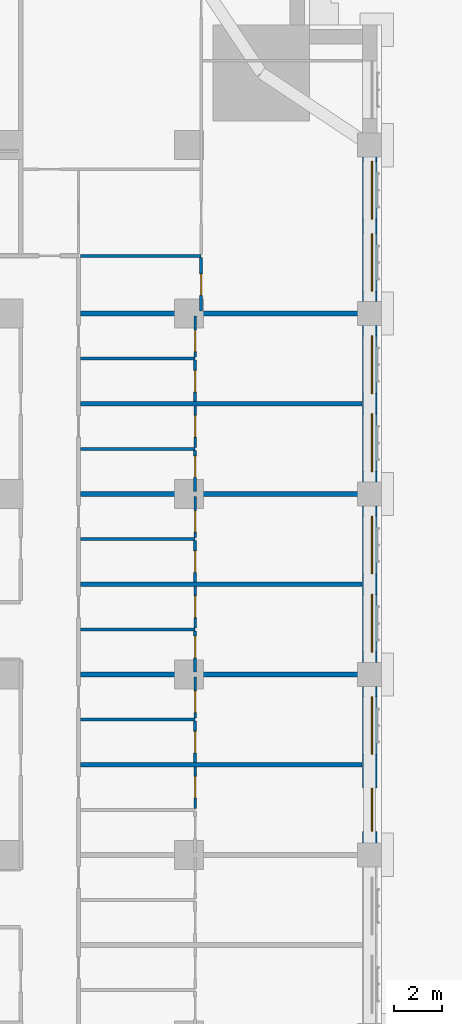
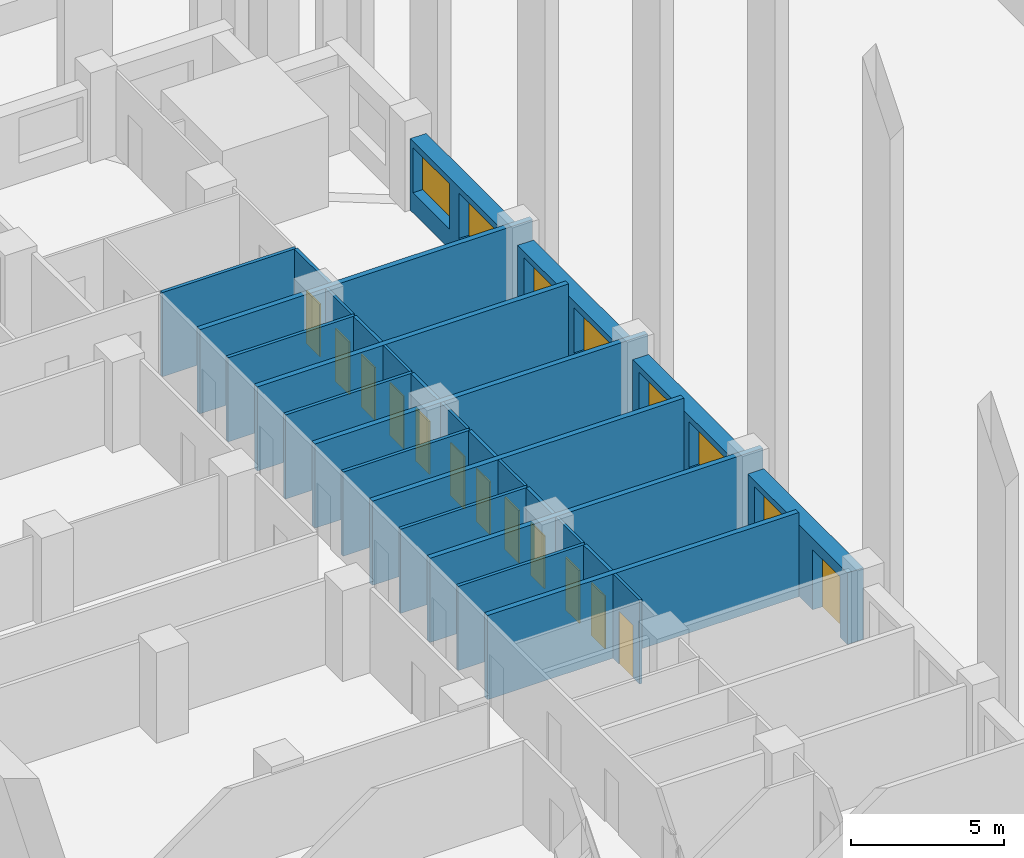
# One storey, part 17 of 27: 28 walls, 13 doors, 7 windows, 20 openings.
"""IFC4 building model written with IfcOpenShell, lengths in metres."""

from ifc_helpers import new_model, si_unit, direction, frame, frame_2d, origin, place, context, subcontext, project, spatial, rectangle, extrude, material, layer, layer_set, type_object, element, fill, save


model = new_model("IFC4")

# Units and contexts
model_context = context("Model", 3, precision=1e-05, world=origin(), true_north=direction((0.0, 1.0)))
body_context = subcontext(model_context, "Body", "Model", "MODEL_VIEW")
ifc_project = project(units=[si_unit("LENGTHUNIT", "METRE"), si_unit("AREAUNIT", "SQUARE_METRE"), si_unit("VOLUMEUNIT", "CUBIC_METRE"), si_unit("PLANEANGLEUNIT", "RADIAN"), si_unit("MASSUNIT", "GRAM", prefix="KILO")], contexts=[model_context])

# Site, building, storey
site_placement = place(None, origin())
site = spatial("IfcSite", under=ifc_project, at=site_placement, CompositionType="ELEMENT")
building_placement = place(site_placement, origin())
building = spatial("IfcBuilding", under=site, at=building_placement, Name="Tamorin Gate", CompositionType="ELEMENT")
storey_placement = place(building_placement, frame((0.0, 0.0, 34.0)))
storey = spatial("IfcBuildingStorey", under=building, at=storey_placement, Name="L06", CompositionType="ELEMENT", Elevation=34.0)

# Wall, openings, window, door
ifc_material_1 = material(Name="Precast concrete C40/50", Category="concrete")
ifc_layer_1 = layer(ifc_material_1, 0.60009765625)
ifc_layer_set_1 = layer_set([ifc_layer_1], Name="Precast concrete C40/50")
wall_type_1 = type_object("IfcWallType", Name="Board-marked concrete facade panel 600", PredefinedType="SOLIDWALL", material=ifc_layer_set_1)
wall_1_placement = place(storey_placement, frame((89.5, 68.0, 0.0), z_axis=(0.0, 0.0, 1.0), x_axis=(0.0, 1.0, 0.0)))
wall_1 = element("IfcWall", 1, at=wall_1_placement, inside=storey, type_object=wall_type_1, Name="Facade panel", PredefinedType="SOLIDWALL", context=body_context, shape_type="SweptSolid", body=[
    extrude(rectangle(XDim=6.5, YDim=0.60009765625, at=frame_2d((3.25, 0.0))), origin(), (0.0, 0.0, 1.0), 2.85009765625),
])
opening_1_placement = place(wall_1_placement, frame((0.47509765625, 0.0, 0.0)))
opening_1 = element("IfcOpeningElement", 2, at=opening_1_placement, cuts=wall_1, Name="Opening DX1", PredefinedType="OPENING", context=body_context, shape_type="SweptSolid", body=[
    extrude(rectangle(XDim=1.800048828125, YDim=2.39990234375, at=frame_2d((0.89990234375, 1.199951171875))), frame((0.0, 0.31005859375, 0.0), z_axis=(0.0, -1.0, 0.0), x_axis=(1.0, 0.0, 0.0)), (0.0, 0.0, 1.0), 0.6201171875),
])
opening_2_placement = place(wall_1_placement, frame((3.675048828125, 0.0, 0.800048828125)))
opening_2 = element("IfcOpeningElement", 3, at=opening_2_placement, cuts=wall_1, Name="Opening WN1", PredefinedType="OPENING", context=body_context, shape_type="SweptSolid", body=[
    extrude(rectangle(XDim=2.39990234375, YDim=1.800048828125, at=frame_2d((1.199951171875, 0.89990234375))), frame((0.0, 0.31005859375, 0.0), z_axis=(0.0, -1.0, 0.0), x_axis=(1.0, 0.0, 0.0)), (0.0, 0.0, 1.0), 0.6201171875),
])
ifc_material_2 = material(Name="Clear glass in aluminium frame", Category="aluminium")
window_type = type_object("IfcWindowType", Name="Deep-set window 2400x1800", PartitioningType="SINGLE_PANEL", PredefinedType="WINDOW", material=ifc_material_2)
window_1_placement = place(opening_2_placement, origin())
window_1 = element("IfcWindow", 4, at=window_1_placement, inside=storey, type_object=window_type, Name="Deep-set window", OverallHeight=1.800048828125, OverallWidth=2.39990234375, PartitioningType="SINGLE_PANEL", PredefinedType="WINDOW", context=body_context, shape_type="SweptSolid", body=[
    extrude(rectangle(XDim=2.39990234375, YDim=1.800048828125, at=frame_2d((1.199951171875, 0.89990234375))), frame((0.0, -0.070068359375, 0.0), z_axis=(0.0, -1.0, 0.0), x_axis=(1.0, 0.0, 0.0)), (0.0, 0.0, 1.0), 0.06005859375),
])
fill(opening_2, window_1)
door_type_1 = type_object("IfcDoorType", Name="Terrace door 1800x2400", OperationType="DOUBLE_DOOR_SINGLE_SWING", PredefinedType="DOOR", material=ifc_material_2)
door_1_placement = place(opening_1_placement, origin())
door_1 = element("IfcDoor", 5, at=door_1_placement, inside=storey, type_object=door_type_1, Name="Terrace door", OperationType="SINGLE_SWING_LEFT", OverallHeight=2.39990234375, OverallWidth=1.800048828125, PredefinedType="DOOR", context=body_context, shape_type="SweptSolid", body=[
    extrude(rectangle(XDim=1.800048828125, YDim=2.39990234375, at=frame_2d((0.89990234375, 1.199951171875))), frame((0.0, -0.0751953125, 0.0), z_axis=(0.0, -1.0, 0.0), x_axis=(1.0, 0.0, 0.0)), (0.0, 0.0, 1.0), 0.050048828125),
])
fill(opening_1, door_1)

# Wall, openings, windows
wall_2_placement = place(storey_placement, frame((89.5, 75.5, 0.0), z_axis=(0.0, 0.0, 1.0), x_axis=(0.0, 1.0, 0.0)))
wall_2 = element("IfcWall", 6, at=wall_2_placement, inside=storey, type_object=wall_type_1, Name="Facade panel", PredefinedType="SOLIDWALL", context=body_context, shape_type="SweptSolid", body=[
    extrude(rectangle(XDim=6.5, YDim=0.60009765625, at=frame_2d((3.25, 0.0))), origin(), (0.0, 0.0, 1.0), 2.85009765625),
])
opening_3_placement = place(wall_2_placement, frame((0.425048828125, 0.0, 0.800048828125)))
opening_3 = element("IfcOpeningElement", 7, at=opening_3_placement, cuts=wall_2, Name="Opening WN1", PredefinedType="OPENING", context=body_context, shape_type="SweptSolid", body=[
    extrude(rectangle(XDim=2.39990234375, YDim=1.800048828125, at=frame_2d((1.199951171875, 0.89990234375))), frame((0.0, 0.31005859375, 0.0), z_axis=(0.0, -1.0, 0.0), x_axis=(1.0, 0.0, 0.0)), (0.0, 0.0, 1.0), 0.6201171875),
])
opening_4_placement = place(wall_2_placement, frame((3.675048828125, 0.0, 0.800048828125)))
opening_4 = element("IfcOpeningElement", 8, at=opening_4_placement, cuts=wall_2, Name="Opening WN1", PredefinedType="OPENING", context=body_context, shape_type="SweptSolid", body=[
    extrude(rectangle(XDim=2.39990234375, YDim=1.800048828125, at=frame_2d((1.199951171875, 0.89990234375))), frame((0.0, 0.31005859375, 0.0), z_axis=(0.0, -1.0, 0.0), x_axis=(1.0, 0.0, 0.0)), (0.0, 0.0, 1.0), 0.6201171875),
])
window_2_placement = place(opening_3_placement, origin())
window_2 = element("IfcWindow", 9, at=window_2_placement, inside=storey, type_object=window_type, Name="Deep-set window", OverallHeight=1.800048828125, OverallWidth=2.39990234375, PartitioningType="SINGLE_PANEL", PredefinedType="WINDOW", context=body_context, shape_type="SweptSolid", body=[
    extrude(rectangle(XDim=2.39990234375, YDim=1.800048828125, at=frame_2d((1.199951171875, 0.89990234375))), frame((0.0, -0.070068359375, 0.0), z_axis=(0.0, -1.0, 0.0), x_axis=(1.0, 0.0, 0.0)), (0.0, 0.0, 1.0), 0.06005859375),
])
fill(opening_3, window_2)
window_3_placement = place(opening_4_placement, origin())
window_3 = element("IfcWindow", 10, at=window_3_placement, inside=storey, type_object=window_type, Name="Deep-set window", OverallHeight=1.800048828125, OverallWidth=2.39990234375, PartitioningType="SINGLE_PANEL", PredefinedType="WINDOW", context=body_context, shape_type="SweptSolid", body=[
    extrude(rectangle(XDim=2.39990234375, YDim=1.800048828125, at=frame_2d((1.199951171875, 0.89990234375))), frame((0.0, -0.070068359375, 0.0), z_axis=(0.0, -1.0, 0.0), x_axis=(1.0, 0.0, 0.0)), (0.0, 0.0, 1.0), 0.06005859375),
])
fill(opening_4, window_3)

wall_3_placement = place(storey_placement, frame((89.5, 83.0, 0.0), z_axis=(0.0, 0.0, 1.0), x_axis=(0.0, 1.0, 0.0)))
wall_3 = element("IfcWall", 11, at=wall_3_placement, inside=storey, type_object=wall_type_1, Name="Facade panel", PredefinedType="SOLIDWALL", context=body_context, shape_type="SweptSolid", body=[
    extrude(rectangle(XDim=6.5, YDim=0.60009765625, at=frame_2d((3.25, 0.0))), origin(), (0.0, 0.0, 1.0), 2.85009765625),
])
opening_5_placement = place(wall_3_placement, frame((0.425048828125, 0.0, 0.800048828125)))
opening_5 = element("IfcOpeningElement", 12, at=opening_5_placement, cuts=wall_3, Name="Opening WN1", PredefinedType="OPENING", context=body_context, shape_type="SweptSolid", body=[
    extrude(rectangle(XDim=2.39990234375, YDim=1.800048828125, at=frame_2d((1.199951171875, 0.89990234375))), frame((0.0, 0.31005859375, 0.0), z_axis=(0.0, -1.0, 0.0), x_axis=(1.0, 0.0, 0.0)), (0.0, 0.0, 1.0), 0.6201171875),
])
opening_6_placement = place(wall_3_placement, frame((3.675048828125, 0.0, 0.800048828125)))
opening_6 = element("IfcOpeningElement", 13, at=opening_6_placement, cuts=wall_3, Name="Opening WN1", PredefinedType="OPENING", context=body_context, shape_type="SweptSolid", body=[
    extrude(rectangle(XDim=2.39990234375, YDim=1.800048828125, at=frame_2d((1.199951171875, 0.89990234375))), frame((0.0, 0.31005859375, 0.0), z_axis=(0.0, -1.0, 0.0), x_axis=(1.0, 0.0, 0.0)), (0.0, 0.0, 1.0), 0.6201171875),
])
window_4_placement = place(opening_5_placement, origin())
window_4 = element("IfcWindow", 14, at=window_4_placement, inside=storey, type_object=window_type, Name="Deep-set window", OverallHeight=1.800048828125, OverallWidth=2.39990234375, PartitioningType="SINGLE_PANEL", PredefinedType="WINDOW", context=body_context, shape_type="SweptSolid", body=[
    extrude(rectangle(XDim=2.39990234375, YDim=1.800048828125, at=frame_2d((1.199951171875, 0.89990234375))), frame((0.0, -0.070068359375, 0.0), z_axis=(0.0, -1.0, 0.0), x_axis=(1.0, 0.0, 0.0)), (0.0, 0.0, 1.0), 0.06005859375),
])
fill(opening_5, window_4)
window_5_placement = place(opening_6_placement, origin())
window_5 = element("IfcWindow", 15, at=window_5_placement, inside=storey, type_object=window_type, Name="Deep-set window", OverallHeight=1.800048828125, OverallWidth=2.39990234375, PartitioningType="SINGLE_PANEL", PredefinedType="WINDOW", context=body_context, shape_type="SweptSolid", body=[
    extrude(rectangle(XDim=2.39990234375, YDim=1.800048828125, at=frame_2d((1.199951171875, 0.89990234375))), frame((0.0, -0.070068359375, 0.0), z_axis=(0.0, -1.0, 0.0), x_axis=(1.0, 0.0, 0.0)), (0.0, 0.0, 1.0), 0.06005859375),
])
fill(opening_6, window_5)

wall_4_placement = place(storey_placement, frame((89.5, 90.5, 0.0), z_axis=(0.0, 0.0, 1.0), x_axis=(0.0, 1.0, 0.0)))
wall_4 = element("IfcWall", 16, at=wall_4_placement, inside=storey, type_object=wall_type_1, Name="Facade panel", PredefinedType="SOLIDWALL", context=body_context, shape_type="SweptSolid", body=[
    extrude(rectangle(XDim=6.0, YDim=0.60009765625, at=frame_2d((3.0, 0.0))), origin(), (0.0, 0.0, 1.0), 2.85009765625),
])
opening_7_placement = place(wall_4_placement, frame((0.425048828125, 0.0, 0.800048828125)))
opening_7 = element("IfcOpeningElement", 17, at=opening_7_placement, cuts=wall_4, Name="Opening WN1", PredefinedType="OPENING", context=body_context, shape_type="SweptSolid", body=[
    extrude(rectangle(XDim=2.39990234375, YDim=1.800048828125, at=frame_2d((1.199951171875, 0.89990234375))), frame((0.0, 0.31005859375, 0.0), z_axis=(0.0, -1.0, 0.0), x_axis=(1.0, 0.0, 0.0)), (0.0, 0.0, 1.0), 0.6201171875),
])
opening_8_placement = place(wall_4_placement, frame((3.425048828125, 0.0, 0.800048828125)))
opening_8 = element("IfcOpeningElement", 18, at=opening_8_placement, cuts=wall_4, Name="Opening WN1", PredefinedType="OPENING", context=body_context, shape_type="SweptSolid", body=[
    extrude(rectangle(XDim=2.39990234375, YDim=1.800048828125, at=frame_2d((1.199951171875, 0.89990234375))), frame((0.0, 0.31005859375, 0.0), z_axis=(0.0, -1.0, 0.0), x_axis=(1.0, 0.0, 0.0)), (0.0, 0.0, 1.0), 0.6201171875),
])
window_6_placement = place(opening_7_placement, origin())
window_6 = element("IfcWindow", 19, at=window_6_placement, inside=storey, type_object=window_type, Name="Deep-set window", OverallHeight=1.800048828125, OverallWidth=2.39990234375, PartitioningType="SINGLE_PANEL", PredefinedType="WINDOW", context=body_context, shape_type="SweptSolid", body=[
    extrude(rectangle(XDim=2.39990234375, YDim=1.800048828125, at=frame_2d((1.199951171875, 0.89990234375))), frame((0.0, -0.070068359375, 0.0), z_axis=(0.0, -1.0, 0.0), x_axis=(1.0, 0.0, 0.0)), (0.0, 0.0, 1.0), 0.06005859375),
])
fill(opening_7, window_6)
window_7_placement = place(opening_8_placement, origin())
window_7 = element("IfcWindow", 20, at=window_7_placement, inside=storey, type_object=window_type, Name="Deep-set window", OverallHeight=1.800048828125, OverallWidth=2.39990234375, PartitioningType="SINGLE_PANEL", PredefinedType="WINDOW", context=body_context, shape_type="SweptSolid", body=[
    extrude(rectangle(XDim=2.39990234375, YDim=1.800048828125, at=frame_2d((1.199951171875, 0.89990234375))), frame((0.0, -0.070068359375, 0.0), z_axis=(0.0, -1.0, 0.0), x_axis=(1.0, 0.0, 0.0)), (0.0, 0.0, 1.0), 0.06005859375),
])
fill(opening_8, window_7)

# Walls
ifc_material_3 = material(Name="Gypsum board partition")
ifc_layer_2 = layer(ifc_material_3, 0.199951171875)
ifc_layer_set_2 = layer_set([ifc_layer_2], Name="Demising wall 200")
wall_type_2 = type_object("IfcWallType", Name="Demising wall 200", PredefinedType="PARTITIONING", material=ifc_layer_set_2)
wall_5_placement = place(storey_placement, frame((77.47509765625, 71.25, 0.0), z_axis=(0.0, 0.0, 1.0), x_axis=(1.0, 0.0, 0.0)))
element("IfcWall", 21, at=wall_5_placement, inside=storey, type_object=wall_type_2, Name="Demising wall 200", PredefinedType="PARTITIONING", context=body_context, shape_type="SweptSolid", body=[
    extrude(rectangle(XDim=11.71484375, YDim=0.199951171875, at=frame_2d((5.857421875, 0.0))), origin(), (0.0, 0.0, 1.0), 3.35009765625),
])
wall_6_placement = place(storey_placement, frame((77.47509765625, 75.0, 0.0), z_axis=(0.0, 0.0, 1.0), x_axis=(1.0, 0.0, 0.0)))
element("IfcWall", 22, at=wall_6_placement, inside=storey, type_object=wall_type_2, Name="Demising wall 200", PredefinedType="PARTITIONING", context=body_context, shape_type="SweptSolid", body=[
    extrude(rectangle(XDim=12.52490234375, YDim=0.199951171875, at=frame_2d((6.262451171875, 0.0))), origin(), (0.0, 0.0, 1.0), 3.35009765625),
])
wall_7_placement = place(storey_placement, frame((77.47509765625, 78.75, 0.0), z_axis=(0.0, 0.0, 1.0), x_axis=(1.0, 0.0, 0.0)))
element("IfcWall", 23, at=wall_7_placement, inside=storey, type_object=wall_type_2, Name="Demising wall 200", PredefinedType="PARTITIONING", context=body_context, shape_type="SweptSolid", body=[
    extrude(rectangle(XDim=11.71484375, YDim=0.199951171875, at=frame_2d((5.857421875, 0.0))), origin(), (0.0, 0.0, 1.0), 3.35009765625),
])
wall_8_placement = place(storey_placement, frame((77.47509765625, 82.5, 0.0), z_axis=(0.0, 0.0, 1.0), x_axis=(1.0, 0.0, 0.0)))
element("IfcWall", 24, at=wall_8_placement, inside=storey, type_object=wall_type_2, Name="Demising wall 200", PredefinedType="PARTITIONING", context=body_context, shape_type="SweptSolid", body=[
    extrude(rectangle(XDim=12.52490234375, YDim=0.199951171875, at=frame_2d((6.262451171875, 0.0))), origin(), (0.0, 0.0, 1.0), 3.35009765625),
])
wall_9_placement = place(storey_placement, frame((77.47509765625, 86.25, 0.0), z_axis=(0.0, 0.0, 1.0), x_axis=(1.0, 0.0, 0.0)))
element("IfcWall", 25, at=wall_9_placement, inside=storey, type_object=wall_type_2, Name="Demising wall 200", PredefinedType="PARTITIONING", context=body_context, shape_type="SweptSolid", body=[
    extrude(rectangle(XDim=11.71484375, YDim=0.199951171875, at=frame_2d((5.857421875, 0.0))), origin(), (0.0, 0.0, 1.0), 3.35009765625),
])
wall_10_placement = place(storey_placement, frame((77.47509765625, 90.0, 0.0), z_axis=(0.0, 0.0, 1.0), x_axis=(1.0, 0.0, 0.0)))
element("IfcWall", 26, at=wall_10_placement, inside=storey, type_object=wall_type_2, Name="Demising wall 200", PredefinedType="PARTITIONING", context=body_context, shape_type="SweptSolid", body=[
    extrude(rectangle(XDim=12.52490234375, YDim=0.199951171875, at=frame_2d((6.262451171875, 0.0))), origin(), (0.0, 0.0, 1.0), 3.35009765625),
])

# Wall, opening, door
ifc_layer_3 = layer(ifc_material_3, 0.10009765625)
ifc_layer_set_3 = layer_set([ifc_layer_3], Name="Room partition 100")
wall_type_3 = type_object("IfcWallType", Name="Room partition 100", PredefinedType="PARTITIONING", material=ifc_layer_set_3)
wall_11_placement = place(storey_placement, frame((82.25, 69.4375, 0.0), z_axis=(0.0, 0.0, 1.0), x_axis=(0.0, 1.0, 0.0)))
wall_11 = element("IfcWall", 27, at=wall_11_placement, inside=storey, type_object=wall_type_3, Name="Room partition 100", PredefinedType="PARTITIONING", context=body_context, shape_type="SweptSolid", body=[
    extrude(rectangle(XDim=1.71240234375, YDim=0.10009765625, at=frame_2d((0.856201171875, 0.0))), origin(), (0.0, 0.0, 1.0), 3.35009765625),
])
opening_9_placement = place(wall_11_placement, frame((0.425048828125, 0.0, 0.0)))
opening_9 = element("IfcOpeningElement", 28, at=opening_9_placement, cuts=wall_11, Name="Opening DH1065", PredefinedType="OPENING", context=body_context, shape_type="SweptSolid", body=[
    extrude(rectangle(XDim=0.89990234375, YDim=2.10009765625, at=frame_2d((0.449951171875, 1.050048828125))), frame((0.0, 0.06005859375, 0.0), z_axis=(0.0, -1.0, 0.0), x_axis=(1.0, 0.0, 0.0)), (0.0, 0.0, 1.0), 0.1201171875),
])
ifc_material_4 = material(Name="Timber door leaf", Category="wood")
door_type_2 = type_object("IfcDoorType", Name="Door 900 x 2100", OperationType="NOTDEFINED", PredefinedType="DOOR", material=ifc_material_4)
door_2_placement = place(opening_9_placement, origin())
door_2 = element("IfcDoor", 29, at=door_2_placement, inside=storey, type_object=door_type_2, Name="Door DH1065", OperationType="SINGLE_SWING_LEFT", OverallHeight=2.10009765625, OverallWidth=0.89990234375, PredefinedType="DOOR", context=body_context, shape_type="SweptSolid", body=[
    extrude(rectangle(XDim=0.89990234375, YDim=2.10009765625, at=frame_2d((0.449951171875, 1.050048828125))), frame((0.0, 0.02490234375, 0.0), z_axis=(0.0, -1.0, 0.0), x_axis=(1.0, 0.0, 0.0)), (0.0, 0.0, 1.0), 0.050048828125),
])
fill(opening_9, door_2)

wall_12_placement = place(storey_placement, frame((82.25, 73.1875, 0.0), z_axis=(0.0, 0.0, 1.0), x_axis=(0.0, 1.0, 0.0)))
wall_12 = element("IfcWall", 30, at=wall_12_placement, inside=storey, type_object=wall_type_3, Name="Room partition 100", PredefinedType="PARTITIONING", context=body_context, shape_type="SweptSolid", body=[
    extrude(rectangle(XDim=1.71240234375, YDim=0.10009765625, at=frame_2d((0.856201171875, 0.0))), origin(), (0.0, 0.0, 1.0), 3.35009765625),
])
opening_10_placement = place(wall_12_placement, frame((0.22509765625, 0.0, 0.0)))
opening_10 = element("IfcOpeningElement", 31, at=opening_10_placement, cuts=wall_12, Name="Opening DH1068", PredefinedType="OPENING", context=body_context, shape_type="SweptSolid", body=[
    extrude(rectangle(XDim=0.89990234375, YDim=2.10009765625, at=frame_2d((0.449951171875, 1.050048828125))), frame((0.0, 0.06005859375, 0.0), z_axis=(0.0, -1.0, 0.0), x_axis=(1.0, 0.0, 0.0)), (0.0, 0.0, 1.0), 0.1201171875),
])
door_3_placement = place(opening_10_placement, origin())
door_3 = element("IfcDoor", 32, at=door_3_placement, inside=storey, type_object=door_type_2, Name="Door DH1068", OperationType="SINGLE_SWING_LEFT", OverallHeight=2.10009765625, OverallWidth=0.89990234375, PredefinedType="DOOR", context=body_context, shape_type="SweptSolid", body=[
    extrude(rectangle(XDim=0.89990234375, YDim=2.10009765625, at=frame_2d((0.449951171875, 1.050048828125))), frame((0.0, 0.02490234375, 0.0), z_axis=(0.0, -1.0, 0.0), x_axis=(1.0, 0.0, 0.0)), (0.0, 0.0, 1.0), 0.050048828125),
])
fill(opening_10, door_3)

wall_13_placement = place(storey_placement, frame((82.25, 76.9375, 0.0), z_axis=(0.0, 0.0, 1.0), x_axis=(0.0, 1.0, 0.0)))
wall_13 = element("IfcWall", 33, at=wall_13_placement, inside=storey, type_object=wall_type_3, Name="Room partition 100", PredefinedType="PARTITIONING", context=body_context, shape_type="SweptSolid", body=[
    extrude(rectangle(XDim=1.71240234375, YDim=0.10009765625, at=frame_2d((0.856201171875, 0.0))), origin(), (0.0, 0.0, 1.0), 3.35009765625),
])
opening_11_placement = place(wall_13_placement, frame((0.425048828125, 0.0, 0.0)))
opening_11 = element("IfcOpeningElement", 34, at=opening_11_placement, cuts=wall_13, Name="Opening DH1071", PredefinedType="OPENING", context=body_context, shape_type="SweptSolid", body=[
    extrude(rectangle(XDim=0.89990234375, YDim=2.10009765625, at=frame_2d((0.449951171875, 1.050048828125))), frame((0.0, 0.06005859375, 0.0), z_axis=(0.0, -1.0, 0.0), x_axis=(1.0, 0.0, 0.0)), (0.0, 0.0, 1.0), 0.1201171875),
])
door_4_placement = place(opening_11_placement, origin())
door_4 = element("IfcDoor", 35, at=door_4_placement, inside=storey, type_object=door_type_2, Name="Door DH1071", OperationType="SINGLE_SWING_LEFT", OverallHeight=2.10009765625, OverallWidth=0.89990234375, PredefinedType="DOOR", context=body_context, shape_type="SweptSolid", body=[
    extrude(rectangle(XDim=0.89990234375, YDim=2.10009765625, at=frame_2d((0.449951171875, 1.050048828125))), frame((0.0, 0.02490234375, 0.0), z_axis=(0.0, -1.0, 0.0), x_axis=(1.0, 0.0, 0.0)), (0.0, 0.0, 1.0), 0.050048828125),
])
fill(opening_11, door_4)

wall_14_placement = place(storey_placement, frame((82.25, 80.6875, 0.0), z_axis=(0.0, 0.0, 1.0), x_axis=(0.0, 1.0, 0.0)))
wall_14 = element("IfcWall", 36, at=wall_14_placement, inside=storey, type_object=wall_type_3, Name="Room partition 100", PredefinedType="PARTITIONING", context=body_context, shape_type="SweptSolid", body=[
    extrude(rectangle(XDim=1.71240234375, YDim=0.10009765625, at=frame_2d((0.856201171875, 0.0))), origin(), (0.0, 0.0, 1.0), 3.35009765625),
])
opening_12_placement = place(wall_14_placement, frame((0.22509765625, 0.0, 0.0)))
opening_12 = element("IfcOpeningElement", 37, at=opening_12_placement, cuts=wall_14, Name="Opening DH1074", PredefinedType="OPENING", context=body_context, shape_type="SweptSolid", body=[
    extrude(rectangle(XDim=0.89990234375, YDim=2.10009765625, at=frame_2d((0.449951171875, 1.050048828125))), frame((0.0, 0.06005859375, 0.0), z_axis=(0.0, -1.0, 0.0), x_axis=(1.0, 0.0, 0.0)), (0.0, 0.0, 1.0), 0.1201171875),
])
door_5_placement = place(opening_12_placement, origin())
door_5 = element("IfcDoor", 38, at=door_5_placement, inside=storey, type_object=door_type_2, Name="Door DH1074", OperationType="SINGLE_SWING_LEFT", OverallHeight=2.10009765625, OverallWidth=0.89990234375, PredefinedType="DOOR", context=body_context, shape_type="SweptSolid", body=[
    extrude(rectangle(XDim=0.89990234375, YDim=2.10009765625, at=frame_2d((0.449951171875, 1.050048828125))), frame((0.0, 0.02490234375, 0.0), z_axis=(0.0, -1.0, 0.0), x_axis=(1.0, 0.0, 0.0)), (0.0, 0.0, 1.0), 0.050048828125),
])
fill(opening_12, door_5)

wall_15_placement = place(storey_placement, frame((82.25, 84.4375, 0.0), z_axis=(0.0, 0.0, 1.0), x_axis=(0.0, 1.0, 0.0)))
wall_15 = element("IfcWall", 39, at=wall_15_placement, inside=storey, type_object=wall_type_3, Name="Room partition 100", PredefinedType="PARTITIONING", context=body_context, shape_type="SweptSolid", body=[
    extrude(rectangle(XDim=1.71240234375, YDim=0.10009765625, at=frame_2d((0.856201171875, 0.0))), origin(), (0.0, 0.0, 1.0), 3.35009765625),
])
opening_13_placement = place(wall_15_placement, frame((0.425048828125, 0.0, 0.0)))
opening_13 = element("IfcOpeningElement", 40, at=opening_13_placement, cuts=wall_15, Name="Opening DH1077", PredefinedType="OPENING", context=body_context, shape_type="SweptSolid", body=[
    extrude(rectangle(XDim=0.89990234375, YDim=2.10009765625, at=frame_2d((0.449951171875, 1.050048828125))), frame((0.0, 0.06005859375, 0.0), z_axis=(0.0, -1.0, 0.0), x_axis=(1.0, 0.0, 0.0)), (0.0, 0.0, 1.0), 0.1201171875),
])
door_6_placement = place(opening_13_placement, origin())
door_6 = element("IfcDoor", 41, at=door_6_placement, inside=storey, type_object=door_type_2, Name="Door DH1077", OperationType="SINGLE_SWING_LEFT", OverallHeight=2.10009765625, OverallWidth=0.89990234375, PredefinedType="DOOR", context=body_context, shape_type="SweptSolid", body=[
    extrude(rectangle(XDim=0.89990234375, YDim=2.10009765625, at=frame_2d((0.449951171875, 1.050048828125))), frame((0.0, 0.02490234375, 0.0), z_axis=(0.0, -1.0, 0.0), x_axis=(1.0, 0.0, 0.0)), (0.0, 0.0, 1.0), 0.050048828125),
])
fill(opening_13, door_6)

wall_16_placement = place(storey_placement, frame((82.25, 88.1875, 0.0), z_axis=(0.0, 0.0, 1.0), x_axis=(0.0, 1.0, 0.0)))
wall_16 = element("IfcWall", 42, at=wall_16_placement, inside=storey, type_object=wall_type_3, Name="Room partition 100", PredefinedType="PARTITIONING", context=body_context, shape_type="SweptSolid", body=[
    extrude(rectangle(XDim=1.71240234375, YDim=0.10009765625, at=frame_2d((0.856201171875, 0.0))), origin(), (0.0, 0.0, 1.0), 3.35009765625),
])
opening_14_placement = place(wall_16_placement, frame((0.22509765625, 0.0, 0.0)))
opening_14 = element("IfcOpeningElement", 43, at=opening_14_placement, cuts=wall_16, Name="Opening DH1080", PredefinedType="OPENING", context=body_context, shape_type="SweptSolid", body=[
    extrude(rectangle(XDim=0.89990234375, YDim=2.10009765625, at=frame_2d((0.449951171875, 1.050048828125))), frame((0.0, 0.06005859375, 0.0), z_axis=(0.0, -1.0, 0.0), x_axis=(1.0, 0.0, 0.0)), (0.0, 0.0, 1.0), 0.1201171875),
])
door_7_placement = place(opening_14_placement, origin())
door_7 = element("IfcDoor", 44, at=door_7_placement, inside=storey, type_object=door_type_2, Name="Door DH1080", OperationType="SINGLE_SWING_LEFT", OverallHeight=2.10009765625, OverallWidth=0.89990234375, PredefinedType="DOOR", context=body_context, shape_type="SweptSolid", body=[
    extrude(rectangle(XDim=0.89990234375, YDim=2.10009765625, at=frame_2d((0.449951171875, 1.050048828125))), frame((0.0, 0.02490234375, 0.0), z_axis=(0.0, -1.0, 0.0), x_axis=(1.0, 0.0, 0.0)), (0.0, 0.0, 1.0), 0.050048828125),
])
fill(opening_14, door_7)

# Walls
ifc_layer_4 = layer(ifc_material_3, 0.125)
ifc_layer_set_4 = layer_set([ifc_layer_4], Name="Wet wall 125")
wall_type_4 = type_object("IfcWallType", Name="Wet wall 125", PredefinedType="PARTITIONING", material=ifc_layer_set_4)
for number, where, z_axis, x_axis, name in (
    (45, (77.47509765625, 73.125, 0.0), (0.0, 0.0, 1.0), (1.0, 0.0, 0.0), "Wet wall 125"),
    (46, (77.47509765625, 76.875, 0.0), (0.0, 0.0, 1.0), (1.0, 0.0, 0.0), "Wet wall 125"),
    (47, (77.47509765625, 80.625, 0.0), (0.0, 0.0, 1.0), (1.0, 0.0, 0.0), "Wet wall 125"),
    (48, (77.47509765625, 84.375, 0.0), (0.0, 0.0, 1.0), (1.0, 0.0, 0.0), "Wet wall 125"),
    (49, (77.47509765625, 88.125, 0.0), (0.0, 0.0, 1.0), (1.0, 0.0, 0.0), "Wet wall 125"),
):
    element("IfcWall", number, at=place(storey_placement, frame(where, z_axis=z_axis, x_axis=x_axis)), inside=storey, type_object=wall_type_4, Name=name, PredefinedType="PARTITIONING", context=body_context, shape_type="SweptSolid", body=[
        extrude(rectangle(XDim=4.77490234375, YDim=0.125, at=frame_2d((2.387451171875, 0.0))), origin(), (0.0, 0.0, 1.0), 3.35009765625),
    ])
wall_17_placement = place(storey_placement, frame((77.47509765625, 92.39990234375, 0.0), z_axis=(0.0, 0.0, 1.0), x_axis=(1.0, 0.0, 0.0)))
element("IfcWall", 50, at=wall_17_placement, inside=storey, type_object=wall_type_4, Name="Wet wall 125", PredefinedType="PARTITIONING", context=body_context, shape_type="SweptSolid", body=[
    extrude(rectangle(XDim=5.02490234375, YDim=0.125, at=frame_2d((2.512451171875, 0.0))), origin(), (0.0, 0.0, 1.0), 3.35009765625),
])

# Wall, opening, door
wall_18_placement = place(storey_placement, frame((82.25, 71.35009765625, 0.0), z_axis=(0.0, 0.0, 1.0), x_axis=(0.0, 1.0, 0.0)))
wall_18 = element("IfcWall", 51, at=wall_18_placement, inside=storey, type_object=wall_type_4, Name="Wet wall 125", PredefinedType="PARTITIONING", context=body_context, shape_type="SweptSolid", body=[
    extrude(rectangle(XDim=1.71240234375, YDim=0.125, at=frame_2d((0.856201171875, 0.0))), origin(), (0.0, 0.0, 1.0), 3.35009765625),
])
opening_15_placement = place(wall_18_placement, frame((0.387451171875, 0.0, 0.0)))
opening_15 = element("IfcOpeningElement", 52, at=opening_15_placement, cuts=wall_18, Name="Opening DH1066", PredefinedType="OPENING", context=body_context, shape_type="SweptSolid", body=[
    extrude(rectangle(XDim=0.89990234375, YDim=2.10009765625, at=frame_2d((0.449951171875, 1.050048828125))), frame((0.0, 0.072509765625, 0.0), z_axis=(0.0, -1.0, 0.0), x_axis=(1.0, 0.0, 0.0)), (0.0, 0.0, 1.0), 0.14501953125),
])
door_8_placement = place(opening_15_placement, origin())
door_8 = element("IfcDoor", 53, at=door_8_placement, inside=storey, type_object=door_type_2, Name="Door DH1066", OperationType="SINGLE_SWING_LEFT", OverallHeight=2.10009765625, OverallWidth=0.89990234375, PredefinedType="DOOR", context=body_context, shape_type="SweptSolid", body=[
    extrude(rectangle(XDim=0.89990234375, YDim=2.10009765625, at=frame_2d((0.449951171875, 1.050048828125))), frame((0.0, 0.02490234375, 0.0), z_axis=(0.0, -1.0, 0.0), x_axis=(1.0, 0.0, 0.0)), (0.0, 0.0, 1.0), 0.050048828125),
])
fill(opening_15, door_8)

wall_19_placement = place(storey_placement, frame((82.25, 75.10009765625, 0.0), z_axis=(0.0, 0.0, 1.0), x_axis=(0.0, 1.0, 0.0)))
wall_19 = element("IfcWall", 54, at=wall_19_placement, inside=storey, type_object=wall_type_4, Name="Wet wall 125", PredefinedType="PARTITIONING", context=body_context, shape_type="SweptSolid", body=[
    extrude(rectangle(XDim=1.71240234375, YDim=0.125, at=frame_2d((0.856201171875, 0.0))), origin(), (0.0, 0.0, 1.0), 3.35009765625),
])
opening_16_placement = place(wall_19_placement, frame((0.58740234375, 0.0, 0.0)))
opening_16 = element("IfcOpeningElement", 55, at=opening_16_placement, cuts=wall_19, Name="Opening DH1069", PredefinedType="OPENING", context=body_context, shape_type="SweptSolid", body=[
    extrude(rectangle(XDim=0.89990234375, YDim=2.10009765625, at=frame_2d((0.449951171875, 1.050048828125))), frame((0.0, 0.072509765625, 0.0), z_axis=(0.0, -1.0, 0.0), x_axis=(1.0, 0.0, 0.0)), (0.0, 0.0, 1.0), 0.14501953125),
])
door_9_placement = place(opening_16_placement, origin())
door_9 = element("IfcDoor", 56, at=door_9_placement, inside=storey, type_object=door_type_2, Name="Door DH1069", OperationType="SINGLE_SWING_RIGHT", OverallHeight=2.10009765625, OverallWidth=0.89990234375, PredefinedType="DOOR", context=body_context, shape_type="SweptSolid", body=[
    extrude(rectangle(XDim=0.89990234375, YDim=2.10009765625, at=frame_2d((0.449951171875, 1.050048828125))), frame((0.0, 0.02490234375, 0.0), z_axis=(0.0, -1.0, 0.0), x_axis=(1.0, 0.0, 0.0)), (0.0, 0.0, 1.0), 0.050048828125),
])
fill(opening_16, door_9)

wall_20_placement = place(storey_placement, frame((82.25, 78.85009765625, 0.0), z_axis=(0.0, 0.0, 1.0), x_axis=(0.0, 1.0, 0.0)))
wall_20 = element("IfcWall", 57, at=wall_20_placement, inside=storey, type_object=wall_type_4, Name="Wet wall 125", PredefinedType="PARTITIONING", context=body_context, shape_type="SweptSolid", body=[
    extrude(rectangle(XDim=1.71240234375, YDim=0.125, at=frame_2d((0.856201171875, 0.0))), origin(), (0.0, 0.0, 1.0), 3.35009765625),
])
opening_17_placement = place(wall_20_placement, frame((0.387451171875, 0.0, 0.0)))
opening_17 = element("IfcOpeningElement", 58, at=opening_17_placement, cuts=wall_20, Name="Opening DH1072", PredefinedType="OPENING", context=body_context, shape_type="SweptSolid", body=[
    extrude(rectangle(XDim=0.89990234375, YDim=2.10009765625, at=frame_2d((0.449951171875, 1.050048828125))), frame((0.0, 0.072509765625, 0.0), z_axis=(0.0, -1.0, 0.0), x_axis=(1.0, 0.0, 0.0)), (0.0, 0.0, 1.0), 0.14501953125),
])
door_10_placement = place(opening_17_placement, origin())
door_10 = element("IfcDoor", 59, at=door_10_placement, inside=storey, type_object=door_type_2, Name="Door DH1072", OperationType="SINGLE_SWING_LEFT", OverallHeight=2.10009765625, OverallWidth=0.89990234375, PredefinedType="DOOR", context=body_context, shape_type="SweptSolid", body=[
    extrude(rectangle(XDim=0.89990234375, YDim=2.10009765625, at=frame_2d((0.449951171875, 1.050048828125))), frame((0.0, 0.02490234375, 0.0), z_axis=(0.0, -1.0, 0.0), x_axis=(1.0, 0.0, 0.0)), (0.0, 0.0, 1.0), 0.050048828125),
])
fill(opening_17, door_10)

wall_21_placement = place(storey_placement, frame((82.25, 82.60009765625, 0.0), z_axis=(0.0, 0.0, 1.0), x_axis=(0.0, 1.0, 0.0)))
wall_21 = element("IfcWall", 60, at=wall_21_placement, inside=storey, type_object=wall_type_4, Name="Wet wall 125", PredefinedType="PARTITIONING", context=body_context, shape_type="SweptSolid", body=[
    extrude(rectangle(XDim=1.71240234375, YDim=0.125, at=frame_2d((0.856201171875, 0.0))), origin(), (0.0, 0.0, 1.0), 3.35009765625),
])
opening_18_placement = place(wall_21_placement, frame((0.58740234375, 0.0, 0.0)))
opening_18 = element("IfcOpeningElement", 61, at=opening_18_placement, cuts=wall_21, Name="Opening DH1075", PredefinedType="OPENING", context=body_context, shape_type="SweptSolid", body=[
    extrude(rectangle(XDim=0.89990234375, YDim=2.10009765625, at=frame_2d((0.449951171875, 1.050048828125))), frame((0.0, 0.072509765625, 0.0), z_axis=(0.0, -1.0, 0.0), x_axis=(1.0, 0.0, 0.0)), (0.0, 0.0, 1.0), 0.14501953125),
])
door_11_placement = place(opening_18_placement, origin())
door_11 = element("IfcDoor", 62, at=door_11_placement, inside=storey, type_object=door_type_2, Name="Door DH1075", OperationType="SINGLE_SWING_RIGHT", OverallHeight=2.10009765625, OverallWidth=0.89990234375, PredefinedType="DOOR", context=body_context, shape_type="SweptSolid", body=[
    extrude(rectangle(XDim=0.89990234375, YDim=2.10009765625, at=frame_2d((0.449951171875, 1.050048828125))), frame((0.0, 0.02490234375, 0.0), z_axis=(0.0, -1.0, 0.0), x_axis=(1.0, 0.0, 0.0)), (0.0, 0.0, 1.0), 0.050048828125),
])
fill(opening_18, door_11)

wall_22_placement = place(storey_placement, frame((82.25, 86.35009765625, 0.0), z_axis=(0.0, 0.0, 1.0), x_axis=(0.0, 1.0, 0.0)))
wall_22 = element("IfcWall", 63, at=wall_22_placement, inside=storey, type_object=wall_type_4, Name="Wet wall 125", PredefinedType="PARTITIONING", context=body_context, shape_type="SweptSolid", body=[
    extrude(rectangle(XDim=1.71240234375, YDim=0.125, at=frame_2d((0.856201171875, 0.0))), origin(), (0.0, 0.0, 1.0), 3.35009765625),
])
opening_19_placement = place(wall_22_placement, frame((0.387451171875, 0.0, 0.0)))
opening_19 = element("IfcOpeningElement", 64, at=opening_19_placement, cuts=wall_22, Name="Opening DH1078", PredefinedType="OPENING", context=body_context, shape_type="SweptSolid", body=[
    extrude(rectangle(XDim=0.89990234375, YDim=2.10009765625, at=frame_2d((0.449951171875, 1.050048828125))), frame((0.0, 0.072509765625, 0.0), z_axis=(0.0, -1.0, 0.0), x_axis=(1.0, 0.0, 0.0)), (0.0, 0.0, 1.0), 0.14501953125),
])
door_12_placement = place(opening_19_placement, origin())
door_12 = element("IfcDoor", 65, at=door_12_placement, inside=storey, type_object=door_type_2, Name="Door DH1078", OperationType="SINGLE_SWING_LEFT", OverallHeight=2.10009765625, OverallWidth=0.89990234375, PredefinedType="DOOR", context=body_context, shape_type="SweptSolid", body=[
    extrude(rectangle(XDim=0.89990234375, YDim=2.10009765625, at=frame_2d((0.449951171875, 1.050048828125))), frame((0.0, 0.02490234375, 0.0), z_axis=(0.0, -1.0, 0.0), x_axis=(1.0, 0.0, 0.0)), (0.0, 0.0, 1.0), 0.050048828125),
])
fill(opening_19, door_12)

wall_23_placement = place(storey_placement, frame((82.5, 90.10009765625, 0.0), z_axis=(0.0, 0.0, 1.0), x_axis=(0.0, 1.0, 0.0)))
wall_23 = element("IfcWall", 66, at=wall_23_placement, inside=storey, type_object=wall_type_4, Name="Wet wall 125", PredefinedType="PARTITIONING", context=body_context, shape_type="SweptSolid", body=[
    extrude(rectangle(XDim=2.2373046875, YDim=0.125, at=frame_2d((1.11865234375, 0.0))), origin(), (0.0, 0.0, 1.0), 3.35009765625),
])
opening_20_placement = place(wall_23_placement, frame((0.64990234375, 0.0, 0.0)))
opening_20 = element("IfcOpeningElement", 67, at=opening_20_placement, cuts=wall_23, Name="Opening DH1092", PredefinedType="OPENING", context=body_context, shape_type="SweptSolid", body=[
    extrude(rectangle(XDim=0.89990234375, YDim=2.10009765625, at=frame_2d((0.449951171875, 1.050048828125))), frame((0.0, 0.072509765625, 0.0), z_axis=(0.0, -1.0, 0.0), x_axis=(1.0, 0.0, 0.0)), (0.0, 0.0, 1.0), 0.14501953125),
])
door_13_placement = place(opening_20_placement, origin())
door_13 = element("IfcDoor", 68, at=door_13_placement, inside=storey, type_object=door_type_2, Name="Door DH1092", OperationType="SINGLE_SWING_LEFT", OverallHeight=2.10009765625, OverallWidth=0.89990234375, PredefinedType="DOOR", context=body_context, shape_type="SweptSolid", body=[
    extrude(rectangle(XDim=0.89990234375, YDim=2.10009765625, at=frame_2d((0.449951171875, 1.050048828125))), frame((0.0, 0.02490234375, 0.0), z_axis=(0.0, -1.0, 0.0), x_axis=(1.0, 0.0, 0.0)), (0.0, 0.0, 1.0), 0.050048828125),
])
fill(opening_20, door_13)

save(model, "model.ifc")
